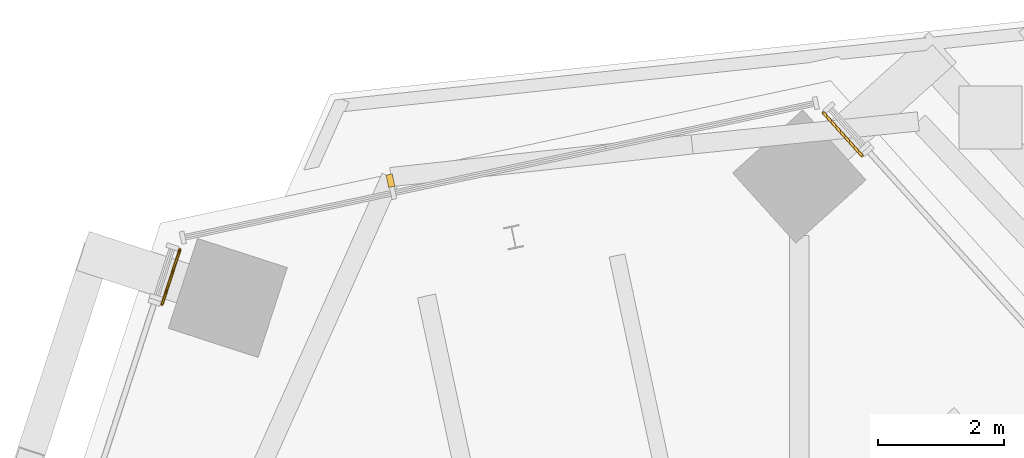
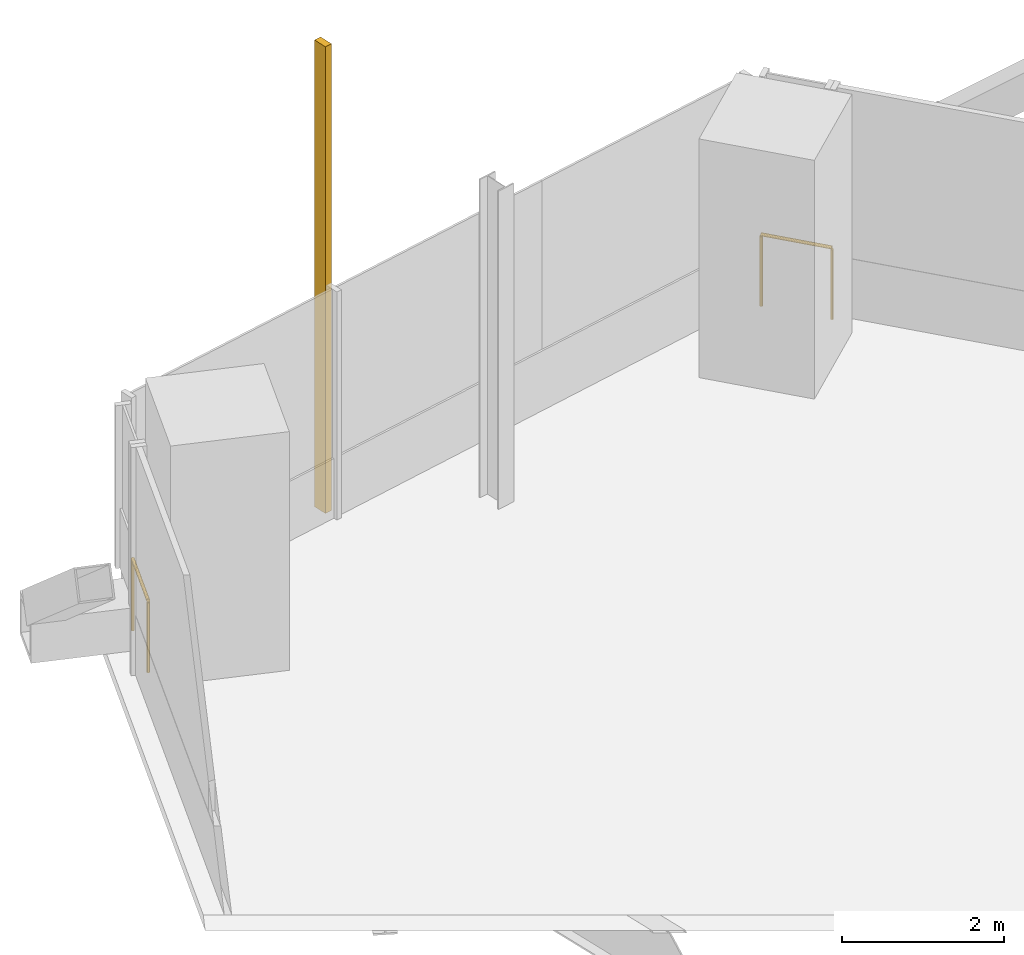
# One storey, part 19 of 20: 2 railings, 1 shading device.
"""IFC4 building model written with IfcOpenShell, lengths in metres."""

from ifc_helpers import new_model, si_unit, direction, frame, origin, origin_2d, place, context, subcontext, project, spatial, rectangle, circle, extrude, source, transform, mapped, material, type_object, element, save


model = new_model("IFC4")

# Units and contexts
model_context = context("Model", 3, precision=1e-05, world=origin(), true_north=direction((0.0, 1.0)))
body_context = subcontext(model_context, "Body", "Model", "MODEL_VIEW")
ifc_project = project(units=[si_unit("LENGTHUNIT", "METRE"), si_unit("AREAUNIT", "SQUARE_METRE"), si_unit("VOLUMEUNIT", "CUBIC_METRE"), si_unit("PLANEANGLEUNIT", "RADIAN"), si_unit("MASSUNIT", "GRAM", prefix="KILO")], contexts=[model_context])

# Site, building, storey
site_placement = place(None, origin())
site = spatial("IfcSite", under=ifc_project, at=site_placement, CompositionType="ELEMENT")
building_placement = place(site_placement, origin())
building = spatial("IfcBuilding", under=site, at=building_placement, Name="Triune Harvest Tower", CompositionType="ELEMENT")
storey_placement = place(building_placement, frame((0.0, 0.0, 259.5)))
storey = spatial("IfcBuildingStorey", under=building, at=storey_placement, Name="L68", CompositionType="ELEMENT", Elevation=259.5)

# Railings
ifc_material_1 = material(Name="Glass", Category="glass")
railing_type = type_object("IfcRailingType", Name="GD-3 facade guard 1100", PredefinedType="GUARDRAIL", material=ifc_material_1)
railing_1_placement = place(storey_placement, frame((-0.37939453125, 29.124267578125, 0.0)))
element("IfcRailing", 1, at=railing_1_placement, inside=storey, type_object=railing_type, Name="Facade guard B7-F1 L68.1.2", PredefinedType="GUARDRAIL", context=body_context, shape_type="SweptSolid", body=[
    extrude(circle(Radius=0.02392578125, at=origin_2d()), frame((0.0, 0.0, 1.076171875), z_axis=(-0.669052527972, 0.743215120146, 0.0), x_axis=(-0.743215120146, -0.669052527972, 0.0)), (0.0, 0.0, 1.0), 0.921630859375),
    extrude(circle(Radius=0.02099609375, at=origin_2d()), origin(), (0.0, 0.0, 1.0), 1.052001953125),
    extrude(circle(Radius=0.02099609375, at=origin_2d()), frame((-0.61669921875, 0.68505859375, 0.0)), (0.0, 0.0, 1.0), 1.052001953125),
])
railing_2_placement = place(storey_placement, frame((-11.21435546875, 27.637451171875, 0.0)))
element("IfcRailing", 2, at=railing_2_placement, inside=storey, type_object=railing_type, Name="Facade guard B7-F3 L68.1.1", PredefinedType="GUARDRAIL", context=body_context, shape_type="SweptSolid", body=[
    extrude(circle(Radius=0.02392578125, at=origin_2d()), frame((0.0, 0.0, 1.076171875), z_axis=(-0.309068106888, -0.951039907314, 0.0), x_axis=(0.951039907314, -0.309068106888, 0.0)), (0.0, 0.0, 1.0), 0.921875),
    extrude(circle(Radius=0.02099609375, at=origin_2d()), origin(), (0.0, 0.0, 1.0), 1.052001953125),
    extrude(circle(Radius=0.02099609375, at=origin_2d()), frame((-0.284912109375, -0.876708984375, 0.0)), (0.0, 0.0, 1.0), 1.052001953125),
])

# Shading device
ifc_material_2 = material(Name="Aluminium bronze anodised", Category="aluminium")
shared_shape = source(origin(), body_context, "Body", "SweptSolid", [
    extrude(rectangle(XDim=0.10009765625, YDim=0.199951171875, at=origin_2d()), origin(), (0.0, 0.0, 1.0), 7.0400390625),
])
shading_device_placement = place(storey_placement, frame((-7.87060546875, 28.728759765625, 0.0), z_axis=(0.0, 0.0, 1.0), x_axis=(-0.978149078297, -0.207904739307, 0.0)))
element("IfcShadingDevice", 3, at=shading_device_placement, inside=storey, material=ifc_material_2, Name="FN-1 fin B7-F2.3 L68", ObjectType="FIN", PredefinedType="USERDEFINED", context=body_context, shape_type="MappedRepresentation", body=[
    mapped(shared_shape, transform((0.0, 0.0, 0.0), scale=1.0)),
])

save(model, "model.ifc")
